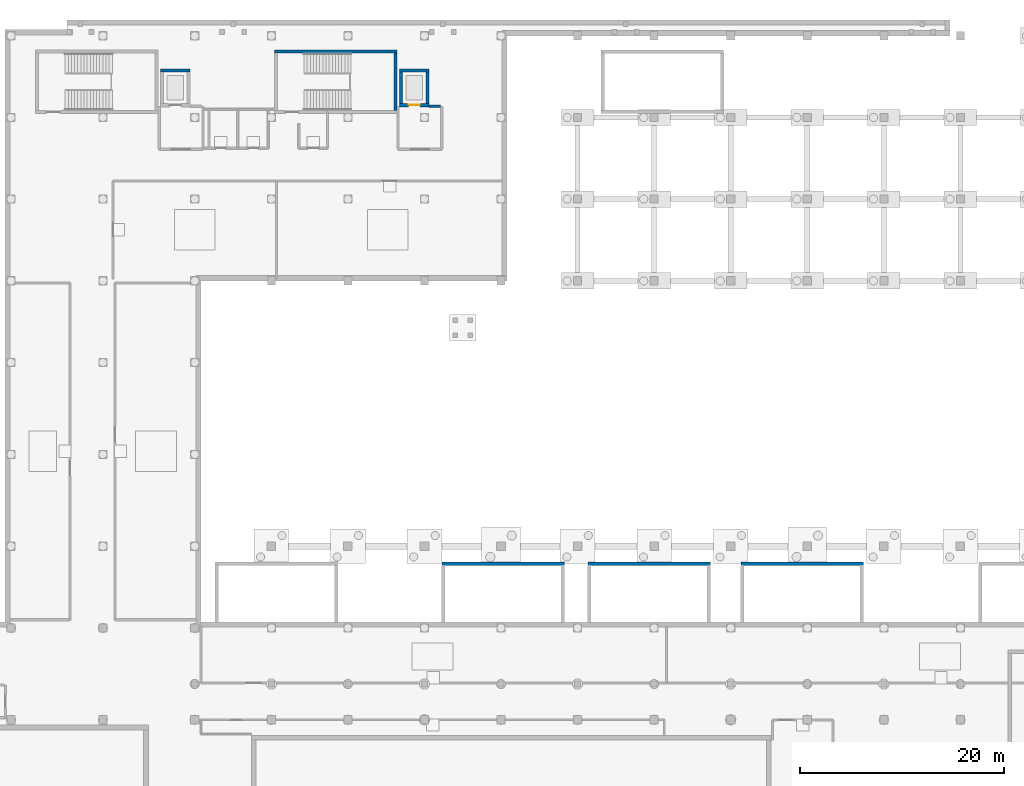
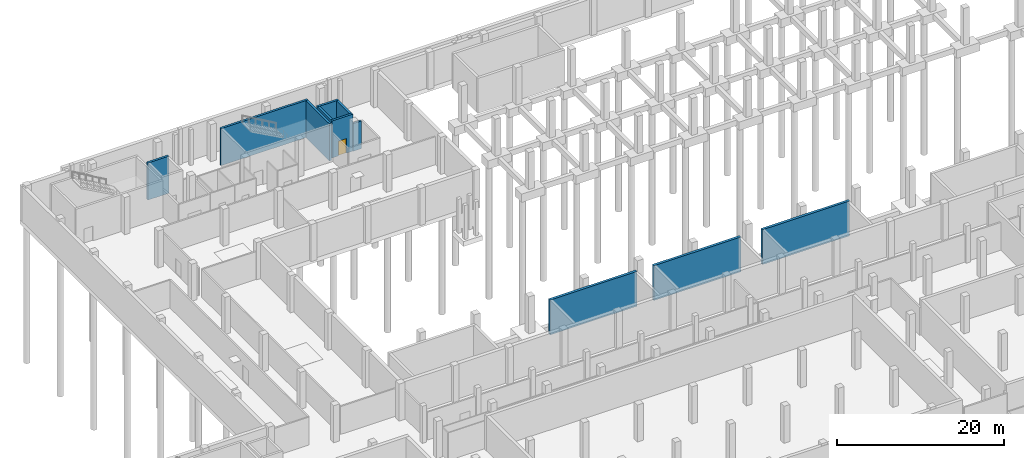
# One storey, part 13 of 19: 11 walls, 1 door, 1 opening.
"""IFC4 building model written with IfcOpenShell, lengths in metres."""

from ifc_helpers import new_model, si_unit, direction, frame, frame_2d, origin, place, context, subcontext, project, spatial, rectangle, extrude, material, layer, layer_set, type_object, element, fill, save


model = new_model("IFC4")

# Units and contexts
model_context = context("Model", 3, precision=1e-05, world=origin(), true_north=direction((0.0, 1.0)))
body_context = subcontext(model_context, "Body", "Model", "MODEL_VIEW")
ifc_project = project(units=[si_unit("LENGTHUNIT", "METRE"), si_unit("AREAUNIT", "SQUARE_METRE"), si_unit("VOLUMEUNIT", "CUBIC_METRE"), si_unit("PLANEANGLEUNIT", "RADIAN"), si_unit("MASSUNIT", "GRAM", prefix="KILO")], contexts=[model_context])

# Site, building, storey
site_placement = place(None, origin())
site = spatial("IfcSite", under=ifc_project, at=site_placement, CompositionType="ELEMENT")
building_placement = place(site_placement, origin())
building = spatial("IfcBuilding", under=site, at=building_placement, Name="Vourika Railside Aquatics Centre", CompositionType="ELEMENT")
storey_placement = place(building_placement, frame((0.0, 0.0, -5.39990234375)))
storey = spatial("IfcBuildingStorey", under=building, at=storey_placement, Name="B1", CompositionType="ELEMENT", Elevation=-5.39990234375)

# Walls
ifc_material_1 = material(Name="Concrete C40/50", Category="concrete")
ifc_layer_1 = layer(ifc_material_1, 0.300048828125, Name="WL-CORE")
ifc_layer_set_1 = layer_set([ifc_layer_1], Name="Concrete C40/50")
wall_type_1 = type_object("IfcWallType", Name="WL-CORE", PredefinedType="SHEAR", material=ifc_layer_set_1)
wall_1_placement = place(storey_placement, frame((55.800048828125, 114.449951171875, 0.0), z_axis=(0.0, 0.0, 1.0), x_axis=(-1.0, 0.0, 0.0)))
element("IfcWall", 1, at=wall_1_placement, inside=storey, type_object=wall_type_1, Name="Protected Exit Stair Core ST02 North Wall (B1)", PredefinedType="SHEAR", context=body_context, shape_type="SweptSolid", body=[
    extrude(rectangle(XDim=12.0, YDim=0.300048828125, at=frame_2d((6.0, 0.0))), origin(), (0.0, 0.0, 1.0), 5.39990234375),
])
wall_2_placement = place(storey_placement, frame((55.64990234375, 108.699951171875, 0.0), z_axis=(0.0, 0.0, 1.0), x_axis=(0.0, 1.0, 0.0)))
element("IfcWall", 2, at=wall_2_placement, inside=storey, type_object=wall_type_1, Name="Protected Exit Stair Core ST02 East Wall (B1)", PredefinedType="SHEAR", context=body_context, shape_type="SweptSolid", body=[
    extrude(rectangle(XDim=5.60009765625, YDim=0.300048828125, at=frame_2d((2.800048828125, 0.0))), origin(), (0.0, 0.0, 1.0), 5.39990234375),
])
wall_3_placement = place(storey_placement, frame((35.550048828125, 112.60009765625, 0.0), z_axis=(0.0, 0.0, 1.0), x_axis=(-1.0, 0.0, 0.0)))
element("IfcWall", 3, at=wall_3_placement, inside=storey, type_object=wall_type_1, Name="Lift LF01 Shaft North Wall (B1)", PredefinedType="SHEAR", context=body_context, shape_type="SweptSolid", body=[
    extrude(rectangle(XDim=2.900146484375, YDim=0.300048828125, at=frame_2d((1.4501953125, 0.0))), origin(), (0.0, 0.0, 1.0), 5.39990234375),
])

# Wall, opening, door
wall_4_placement = place(storey_placement, frame((56.050048828125, 109.199951171875, 0.0), z_axis=(0.0, 0.0, 1.0), x_axis=(1.0, 0.0, 0.0)))
wall_4 = element("IfcWall", 4, at=wall_4_placement, inside=storey, type_object=wall_type_1, Name="Lift LF02 Shaft South Wall (B1)", PredefinedType="SHEAR", context=body_context, shape_type="SweptSolid", body=[
    extrude(rectangle(XDim=2.89990234375, YDim=0.300048828125, at=frame_2d((1.449951171875, 0.0))), origin(), (0.0, 0.0, 1.0), 5.39990234375),
])
opening_placement = place(wall_4_placement, frame((0.89990234375, 0.0, 0.0)))
opening = element("IfcOpeningElement", 5, at=opening_placement, cuts=wall_4, Name="Opening LD01", PredefinedType="OPENING", context=body_context, shape_type="SweptSolid", body=[
    extrude(rectangle(XDim=1.10009765625, YDim=2.14990234375, at=frame_2d((0.550048828125, 1.074951171875))), frame((0.0, 0.16015625, 0.0), z_axis=(0.0, -1.0, 0.0), x_axis=(1.0, 0.0, 0.0)), (0.0, 0.0, 1.0), 0.320068359375),
])
ifc_material_2 = material(Name="Stainless firefighting lift landing door")
door_type = type_object("IfcDoorType", Name="DR-LIFT-LD1", OperationType="DOUBLE_DOOR_SLIDING", PredefinedType="DOOR", material=ifc_material_2)
door_placement = place(opening_placement, origin())
door = element("IfcDoor", 6, at=door_placement, inside=storey, type_object=door_type, Name="Lift LF02 Sliding Landing Door (B1)", OperationType="DOUBLE_DOOR_SLIDING", OverallHeight=2.14990234375, OverallWidth=1.10009765625, PredefinedType="DOOR", context=body_context, shape_type="SweptSolid", body=[
    extrude(rectangle(XDim=1.10009765625, YDim=2.14990234375, at=frame_2d((0.550048828125, 1.074951171875))), frame((0.0, 0.02490234375, 0.0), z_axis=(0.0, -1.0, 0.0), x_axis=(1.0, 0.0, 0.0)), (0.0, 0.0, 1.0), 0.050048828125),
])
fill(opening, door)

# Walls
wall_5_placement = place(storey_placement, frame((58.949951171875, 112.60009765625, 0.0), z_axis=(0.0, 0.0, 1.0), x_axis=(-1.0, 0.0, 0.0)))
element("IfcWall", 7, at=wall_5_placement, inside=storey, type_object=wall_type_1, Name="Lift LF02 Shaft North Wall (B1)", PredefinedType="SHEAR", context=body_context, shape_type="SweptSolid", body=[
    extrude(rectangle(XDim=2.89990234375, YDim=0.300048828125, at=frame_2d((1.449951171875, 0.0))), origin(), (0.0, 0.0, 1.0), 5.39990234375),
])
for number, where, z_axis, x_axis, name in (
    (8, (56.199951171875, 112.60009765625, 0.0), (0.0, 0.0, 1.0), (0.0, -1.0, 0.0), "Lift LF02 Shaft West Wall (B1)"),
    (9, (58.800048828125, 109.199951171875, 0.0), (0.0, 0.0, 1.0), (0.0, 1.0, 0.0), "Lift LF02 Shaft East Wall (B1)"),
):
    element("IfcWall", number, at=place(storey_placement, frame(where, z_axis=z_axis, x_axis=x_axis)), inside=storey, type_object=wall_type_1, Name=name, PredefinedType="SHEAR", context=body_context, shape_type="SweptSolid", body=[
        extrude(rectangle(XDim=3.400146484375, YDim=0.300048828125, at=frame_2d((1.7001953125, 0.0))), origin(), (0.0, 0.0, 1.0), 5.39990234375),
    ])
ifc_material_3 = material(Name="Concrete C35/45", Category="concrete")
ifc_layer_2 = layer(ifc_material_3, 0.219970703125, Name="WL-FIRE")
ifc_layer_set_2 = layer_set([ifc_layer_2], Name="Concrete C35/45")
wall_type_2 = type_object("IfcWallType", Name="WL-FIRE", PredefinedType="SOLIDWALL", material=ifc_layer_set_2)
wall_6_placement = place(storey_placement, frame((58.949951171875, 109.10009765625, 0.0), z_axis=(0.0, 0.0, 1.0), x_axis=(1.0, 0.0, 0.0)))
element("IfcWall", 10, at=wall_6_placement, inside=storey, type_object=wall_type_2, Name="Lift LF02 Lobby North-East Closure Wall (B1)", PredefinedType="SOLIDWALL", context=body_context, shape_type="SweptSolid", body=[
    extrude(rectangle(XDim=1.130126953125, YDim=0.219970703125, at=frame_2d((0.56494140625, 0.0))), origin(), (0.0, 0.0, 1.0), 4.0498046875),
])
ifc_layer_3 = layer(ifc_material_1, 0.35009765625, Name="WL-TANK-350")
ifc_layer_set_3 = layer_set([ifc_layer_3], Name="Concrete C40/50")
wall_type_3 = type_object("IfcWallType", Name="WL-TANK-350", PredefinedType="SOLIDWALL", material=ifc_layer_set_3)
for number, where, z_axis, x_axis, name in (
    (11, (72.199951171875, 64.300048828125, 0.0), (0.0, 0.0, 1.0), (-1.0, 0.0, 0.0), "Substructure Core Foundation Wall ST08-N"),
    (12, (101.5, 64.300048828125, 0.0), (0.0, 0.0, 1.0), (-1.0, 0.0, 0.0), "Substructure Core Foundation Wall ST09-N"),
    (13, (86.5, 64.300048828125, 0.0), (0.0, 0.0, 1.0), (-1.0, 0.0, 0.0), "Substructure Core Foundation Wall ST12-N"),
):
    element("IfcWall", number, at=place(storey_placement, frame(where, z_axis=z_axis, x_axis=x_axis)), inside=storey, type_object=wall_type_3, Name=name, PredefinedType="SOLIDWALL", context=body_context, shape_type="SweptSolid", body=[
        extrude(rectangle(XDim=12.0, YDim=0.35009765625, at=frame_2d((6.0, 0.0))), origin(), (0.0, 0.0, 1.0), 5.079833984375),
    ])

save(model, "model.ifc")
